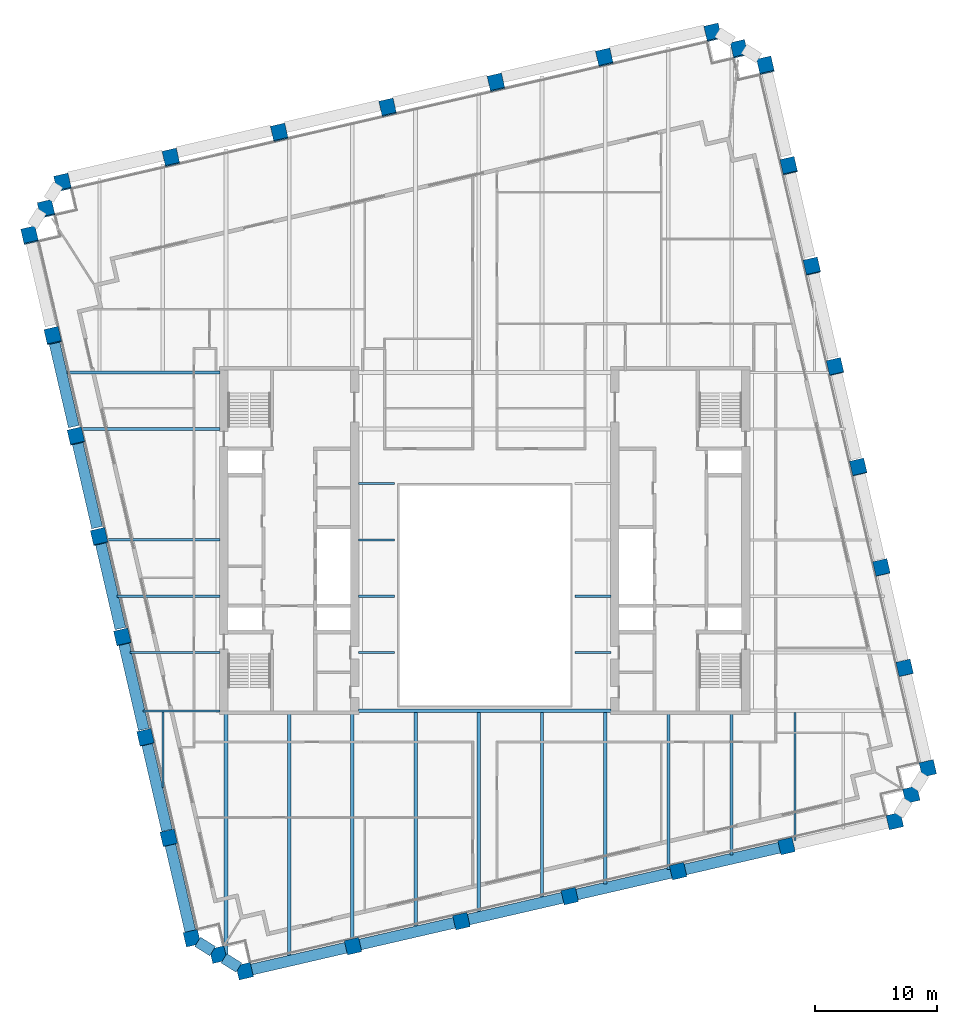
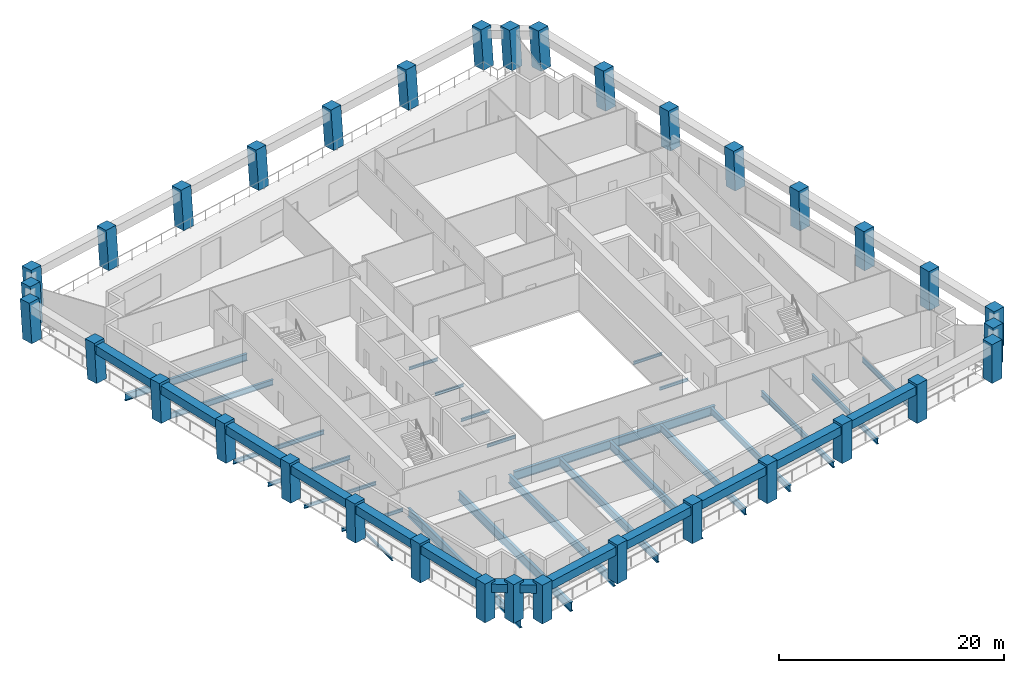
# One storey, part 1 of 11: 37 beams, 34 columns.
"""IFC4 building model written with IfcOpenShell, lengths in metres."""

from ifc_helpers import new_model, si_unit, direction, frame, origin, origin_2d, place, context, subcontext, project, spatial, rectangle, i_section, extrude, material, material_profile, profile_set, type_object, element, save


model = new_model("IFC4")

# Units and contexts
model_context = context("Model", 3, precision=1e-05, world=origin(), true_north=direction((0.0, 1.0)))
body_context = subcontext(model_context, "Body", "Model", "MODEL_VIEW")
ifc_project = project(units=[si_unit("LENGTHUNIT", "METRE"), si_unit("AREAUNIT", "SQUARE_METRE"), si_unit("VOLUMEUNIT", "CUBIC_METRE"), si_unit("PLANEANGLEUNIT", "RADIAN"), si_unit("MASSUNIT", "GRAM", prefix="KILO")], contexts=[model_context])

# Site, building, storey
site_placement = place(None, origin())
site = spatial("IfcSite", under=ifc_project, at=site_placement, CompositionType="ELEMENT")
building_placement = place(site_placement, origin())
building = spatial("IfcBuilding", under=site, at=building_placement, Name="Ogive Exchange Tower", CompositionType="ELEMENT")
storey_placement = place(building_placement, frame((0.0, 0.0, 217.800048828125)))
storey = spatial("IfcBuildingStorey", under=building, at=storey_placement, Name="L48", CompositionType="ELEMENT", Elevation=217.800048828125)

# Columns
ifc_material_1 = material(Name="Precast concrete C70/85 (limestone faced)", Category="masonry")
ifc_material_profile_1 = material_profile(ifc_material_1, rectangle(XDim=1.199951171875, YDim=1.199951171875, at=origin_2d()), Name="1200 x 1200")
ifc_profile_set_1 = profile_set([ifc_material_profile_1], Name="Precast concrete C70/85 (limestone faced)")
column_type = type_object("IfcColumnType", Name="Precast exoskeleton leg 1200 x 1200 C70/85", PredefinedType="COLUMN", material=ifc_profile_set_1)
for number, where, z_axis, x_axis, name in (
    (1, (-19.6494140625, -23.749267578125, 0.0), (0.0, 0.0, 1.0), (0.974370064785, 0.224951054344, 0.0), "Exoskeleton leg 1"),
    (2, (-10.782470703125, -21.7021484375, 0.0), (0.0, 0.0, 1.0), (0.974370064785, 0.224951054344, 0.0), "Exoskeleton leg 2"),
    (3, (-1.915771484375, -19.655029296875, 0.0), (0.0, 0.0, 1.0), (0.974370064785, 0.224951054344, 0.0), "Exoskeleton leg 3"),
    (4, (6.950927734375, -17.60791015625, 0.0), (0.0, 0.0, 1.0), (0.974370064785, 0.224951054344, 0.0), "Exoskeleton leg 4"),
    (5, (15.81787109375, -15.56103515625, 0.0), (0.0, 0.0, 1.0), (0.974370064785, 0.224951054344, 0.0), "Exoskeleton leg 5"),
    (6, (24.6845703125, -13.513916015625, 0.0), (0.0, 0.0, 1.0), (0.974370064785, 0.224951054344, 0.0), "Exoskeleton leg 6"),
    (7, (33.55126953125, -11.466796875, 0.0), (0.0, 0.0, 1.0), (0.974370064785, 0.224951054344, 0.0), "Exoskeleton leg 7"),
    (8, (36.249267578125, -7.1494140625, 0.0), (0.0, 0.0, 1.0), (0.974370064785, 0.224951054344, 0.0), "Exoskeleton leg 8"),
):
    element("IfcColumn", number, at=place(storey_placement, frame(where, z_axis=z_axis, x_axis=x_axis)), inside=storey, type_object=column_type, Name=name, PredefinedType="COLUMN", context=body_context, shape_type="SweptSolid", body=[
        extrude(rectangle(XDim=1.199951171875, YDim=1.199951171875, at=origin_2d()), origin(), (0.0, 0.0, 1.0), 4.199951171875),
    ])
column_1_placement = place(storey_placement, frame((34.353515625, 1.061279296875, 0.0), z_axis=(-0.00267375834, 0.011741286623, 0.999927493974), x_axis=(-0.975037935076, -0.222038341651, 0.0)))
element("IfcColumn", 9, at=column_1_placement, inside=storey, type_object=column_type, Name="Exoskeleton leg 9", PredefinedType="COLUMN", context=body_context, shape_type="SweptSolid", body=[
    extrude(rectangle(XDim=1.199951171875, YDim=1.199951171875, at=origin_2d()), origin(), (0.0, 0.0, 1.0), 4.2001953125),
])
column_2_placement = place(storey_placement, frame((32.4580078125, 9.27197265625, 0.0), z_axis=(-0.005404472139, 0.023419379268, 0.999711120452), x_axis=(-0.974391195695, -0.224859506699, 0.0)))
element("IfcColumn", 10, at=column_2_placement, inside=storey, type_object=column_type, Name="Exoskeleton leg 10", PredefinedType="COLUMN", context=body_context, shape_type="SweptSolid", body=[
    extrude(rectangle(XDim=1.199951171875, YDim=1.199951171875, at=origin_2d()), origin(), (0.0, 0.0, 1.0), 4.201171875),
])
column_3_placement = place(storey_placement, frame((30.5625, 17.482666015625, 0.0), z_axis=(-0.008132835078, 0.035087374195, 0.999351156084), x_axis=(-0.97417327444, -0.225801752354, 0.0)))
element("IfcColumn", 11, at=column_3_placement, inside=storey, type_object=column_type, Name="Exoskeleton leg 11", PredefinedType="COLUMN", context=body_context, shape_type="SweptSolid", body=[
    extrude(rectangle(XDim=1.199951171875, YDim=1.199951171875, at=origin_2d()), origin(), (0.0, 0.0, 1.0), 4.20263671875),
])
column_4_placement = place(storey_placement, frame((28.6669921875, 25.693359375, 0.0), z_axis=(-0.010799619665, 0.046740289408, 0.998848694028), x_axis=(-0.974329962248, -0.225124686929, 0.0)))
element("IfcColumn", 12, at=column_4_placement, inside=storey, type_object=column_type, Name="Exoskeleton leg 12", PredefinedType="COLUMN", context=body_context, shape_type="SweptSolid", body=[
    extrude(rectangle(XDim=1.199951171875, YDim=1.199951171875, at=origin_2d()), origin(), (0.0, 0.0, 1.0), 4.204833984375),
])
column_5_placement = place(storey_placement, frame((26.771240234375, 33.904052734375, 0.0), z_axis=(-0.013461799865, 0.058373149415, 0.998204064995), x_axis=(-0.974423835271, -0.224718021653, 0.0)))
element("IfcColumn", 13, at=column_5_placement, inside=storey, type_object=column_type, Name="Exoskeleton leg 13", PredefinedType="COLUMN", context=body_context, shape_type="SweptSolid", body=[
    extrude(rectangle(XDim=1.199951171875, YDim=1.199951171875, at=origin_2d()), origin(), (0.0, 0.0, 1.0), 4.20751953125),
])
column_6_placement = place(storey_placement, frame((24.875732421875, 42.11474609375, 0.0), z_axis=(-0.016176212764, 0.069980963462, 0.99741716192), x_axis=(-0.974309502923, -0.225213215672, 0.0)))
element("IfcColumn", 14, at=column_6_placement, inside=storey, type_object=column_type, Name="Exoskeleton leg 14", PredefinedType="COLUMN", context=body_context, shape_type="SweptSolid", body=[
    extrude(rectangle(XDim=1.199951171875, YDim=1.199951171875, at=origin_2d()), origin(), (0.0, 0.0, 1.0), 4.2109375),
])
for number, where, z_axis, x_axis, name in (
    (15, (22.97998046875, 50.325439453125, 0.0), (-0.018825755928, 0.08155896722, 0.996490705315), (-0.974379530941, -0.22491004798, 0.0), "Exoskeleton leg 15"),
    (16, (18.66259765625, 53.023193359375, 0.0), (-0.018825666958, 0.081616506903, 0.99648599592), (-0.974414501624, -0.224758490439, 0.0), "Exoskeleton leg 16"),
    (17, (9.7958984375, 50.976318359375, 0.0), (-0.018883571463, 0.081616417765, 0.996484907603), (-0.974262845894, -0.225414966474, 0.0), "Exoskeleton leg 17"),
    (18, (0.928955078125, 48.92919921875, 0.0), (-0.018825666958, 0.081616506903, 0.99648599592), (-0.974414501624, -0.224758490439, 0.0), "Exoskeleton leg 18"),
    (19, (-7.937744140625, 46.882080078125, 0.0), (-0.018825666958, 0.081616506903, 0.99648599592), (-0.974414501624, -0.224758490439, 0.0), "Exoskeleton leg 19"),
    (20, (-16.804443359375, 44.835205078125, 0.0), (-0.018825755928, 0.08155896722, 0.996490705315), (-0.974379530941, -0.22491004798, 0.0), "Exoskeleton leg 20"),
    (21, (-25.67138671875, 42.7880859375, 0.0), (-0.018825755928, 0.08155896722, 0.996490705315), (-0.974379530941, -0.22491004798, 0.0), "Exoskeleton leg 21"),
    (22, (-34.5380859375, 40.740966796875, 0.0), (-0.018825666958, 0.081616506903, 0.99648599592), (-0.974414501624, -0.224758490439, 0.0), "Exoskeleton leg 22"),
    (23, (-37.236083984375, 36.42333984375, 0.0), (-0.018825666958, 0.081616506903, 0.99648599592), (-0.974414501624, -0.224758490439, 0.0), "Exoskeleton leg 23"),
):
    element("IfcColumn", number, at=place(storey_placement, frame(where, z_axis=z_axis, x_axis=x_axis)), inside=storey, type_object=column_type, Name=name, PredefinedType="COLUMN", context=body_context, shape_type="SweptSolid", body=[
        extrude(rectangle(XDim=1.199951171875, YDim=1.199951171875, at=origin_2d()), origin(), (0.0, 0.0, 1.0), 4.21484375),
    ])
column_7_placement = place(storey_placement, frame((-35.34033203125, 28.212890625, 0.0), z_axis=(-0.016176212764, 0.069980963462, 0.99741716192), x_axis=(-0.974309502923, -0.225213215672, 0.0)))
element("IfcColumn", 24, at=column_7_placement, inside=storey, type_object=column_type, Name="Exoskeleton leg 24", PredefinedType="COLUMN", context=body_context, shape_type="SweptSolid", body=[
    extrude(rectangle(XDim=1.199951171875, YDim=1.199951171875, at=origin_2d()), origin(), (0.0, 0.0, 1.0), 4.2109375),
])
column_8_placement = place(storey_placement, frame((-33.44482421875, 20.002197265625, 0.0), z_axis=(-0.013461799865, 0.058373149415, 0.998204064995), x_axis=(-0.974423835271, -0.224718021653, 0.0)))
element("IfcColumn", 25, at=column_8_placement, inside=storey, type_object=column_type, Name="Exoskeleton leg 25", PredefinedType="COLUMN", context=body_context, shape_type="SweptSolid", body=[
    extrude(rectangle(XDim=1.199951171875, YDim=1.199951171875, at=origin_2d()), origin(), (0.0, 0.0, 1.0), 4.20751953125),
])
column_9_placement = place(storey_placement, frame((-31.54931640625, 11.79150390625, 0.0), z_axis=(-0.010741593044, 0.046682382742, 0.99885202774), x_axis=(-0.974534000035, -0.224239788565, 0.0)))
element("IfcColumn", 26, at=column_9_placement, inside=storey, type_object=column_type, Name="Exoskeleton leg 26", PredefinedType="COLUMN", context=body_context, shape_type="SweptSolid", body=[
    extrude(rectangle(XDim=1.199951171875, YDim=1.199951171875, at=origin_2d()), origin(), (0.0, 0.0, 1.0), 4.204833984375),
])
column_10_placement = place(storey_placement, frame((-29.653564453125, 3.580810546875, 0.0), z_axis=(-0.008074763646, 0.035029370347, 0.999353661826), x_axis=(-0.974445638882, -0.224623455729, 0.0)))
element("IfcColumn", 27, at=column_10_placement, inside=storey, type_object=column_type, Name="Exoskeleton leg 27", PredefinedType="COLUMN", context=body_context, shape_type="SweptSolid", body=[
    extrude(rectangle(XDim=1.199951171875, YDim=1.199951171875, at=origin_2d()), origin(), (0.0, 0.0, 1.0), 4.20263671875),
])
column_11_placement = place(storey_placement, frame((-27.758056640625, -4.6298828125, 0.0), z_axis=(-0.005404479485, 0.023361298418, 0.999712479335), x_axis=(-0.974268511785, -0.225390476607, 0.0)))
element("IfcColumn", 28, at=column_11_placement, inside=storey, type_object=column_type, Name="Exoskeleton leg 28", PredefinedType="COLUMN", context=body_context, shape_type="SweptSolid", body=[
    extrude(rectangle(XDim=1.199951171875, YDim=1.199951171875, at=origin_2d()), origin(), (0.0, 0.0, 1.0), 4.201171875),
])
column_12_placement = place(storey_placement, frame((-25.862548828125, -12.840576171875, 0.0), z_axis=(-0.00267376016, 0.011683169396, 0.9999281747), x_axis=(-0.974798272484, -0.223088161862, 0.0)))
element("IfcColumn", 29, at=column_12_placement, inside=storey, type_object=column_type, Name="Exoskeleton leg 29", PredefinedType="COLUMN", context=body_context, shape_type="SweptSolid", body=[
    extrude(rectangle(XDim=1.199951171875, YDim=1.199951171875, at=origin_2d()), origin(), (0.0, 0.0, 1.0), 4.2001953125),
])
for number, where, z_axis, x_axis, name in (
    (30, (-23.966796875, -21.05126953125, 0.0), (0.0, 0.0, 1.0), (0.974370064785, 0.224951054344, 0.0), "Exoskeleton leg 30"),
    (31, (34.900146484375, -9.30810546875, 0.0), (0.0, 0.0, 1.0), (0.974370064785, 0.224951054344, 0.0), "Exoskeleton leg 31"),
):
    element("IfcColumn", number, at=place(storey_placement, frame(where, z_axis=z_axis, x_axis=x_axis)), inside=storey, type_object=column_type, Name=name, PredefinedType="COLUMN", context=body_context, shape_type="SweptSolid", body=[
        extrude(rectangle(XDim=1.199951171875, YDim=1.199951171875, at=origin_2d()), origin(), (0.0, 0.0, 1.0), 4.199951171875),
    ])
for number, where, z_axis, x_axis, name in (
    (32, (20.8212890625, 51.67431640625, 0.0), (-0.018825666958, 0.081616506903, 0.99648599592), (-0.974414501624, -0.224758490439, 0.0), "Exoskeleton leg 32"),
    (33, (-35.886962890625, 38.582275390625, 0.0), (-0.018825755928, 0.08155896722, 0.996490705315), (-0.974379530941, -0.22491004798, 0.0), "Exoskeleton leg 33"),
):
    element("IfcColumn", number, at=place(storey_placement, frame(where, z_axis=z_axis, x_axis=x_axis)), inside=storey, type_object=column_type, Name=name, PredefinedType="COLUMN", context=body_context, shape_type="SweptSolid", body=[
        extrude(rectangle(XDim=1.199951171875, YDim=1.199951171875, at=origin_2d()), origin(), (0.0, 0.0, 1.0), 4.21484375),
    ])
column_13_placement = place(storey_placement, frame((-21.80810546875, -22.400146484375, 0.0), z_axis=(0.0, 0.0, 1.0), x_axis=(0.974370064785, 0.224951054344, 0.0)))
element("IfcColumn", 34, at=column_13_placement, inside=storey, type_object=column_type, Name="Exoskeleton leg 34", PredefinedType="COLUMN", context=body_context, shape_type="SweptSolid", body=[
    extrude(rectangle(XDim=1.199951171875, YDim=1.199951171875, at=origin_2d()), origin(), (0.0, 0.0, 1.0), 4.199951171875),
])

# Beams
ifc_material_2 = material(Name="Steel ASTM A992 Gr50", Category="steel")
ifc_material_profile_2 = material_profile(ifc_material_2, i_section(OverallWidth=0.300048828125, OverallDepth=0.969970703125, WebThickness=0.01611328125, FlangeThickness=0.02099609375, at=origin_2d()), Name="W1000x222")
ifc_profile_set_2 = profile_set([ifc_material_profile_2], Name="Steel ASTM A992 Gr50")
beam_type_1 = type_object("IfcBeamType", Name="Floor beam W1000x222", PredefinedType="JOIST", material=ifc_profile_set_2)
beam_1_placement = place(storey_placement, frame((-21.1806640625, -22.581298828125, -0.68505859375), z_axis=(0.0, 1.0, 0.0), x_axis=(-1.0, 0.0, 0.0)))
element("IfcBeam", 35, at=beam_1_placement, inside=storey, type_object=beam_type_1, Name="Floor beam", PredefinedType="JOIST", context=body_context, shape_type="SweptSolid", body=[
    extrude(i_section(OverallWidth=0.300048828125, OverallDepth=0.969970703125, WebThickness=0.01611328125, FlangeThickness=0.02099609375, at=origin_2d()), origin(), (0.0, 0.0, 1.0), 19.981201171875),
])
beam_2_placement = place(storey_placement, frame((-16.0087890625, -22.596923828125, -0.68505859375), z_axis=(0.0, 1.0, 0.0), x_axis=(-1.0, 0.0, 0.0)))
element("IfcBeam", 36, at=beam_2_placement, inside=storey, type_object=beam_type_1, Name="Floor beam", PredefinedType="JOIST", context=body_context, shape_type="SweptSolid", body=[
    extrude(i_section(OverallWidth=0.300048828125, OverallDepth=0.969970703125, WebThickness=0.01611328125, FlangeThickness=0.02099609375, at=origin_2d()), origin(), (0.0, 0.0, 1.0), 19.996826171875),
])
ifc_material_profile_3 = material_profile(ifc_material_2, i_section(OverallWidth=0.1650390625, OverallDepth=0.31005859375, WebThickness=0.005859375, FlangeThickness=0.009765625, at=origin_2d()), Name="W310x38.7")
ifc_profile_set_3 = profile_set([ifc_material_profile_3], Name="Steel ASTM A992 Gr50")
beam_type_2 = type_object("IfcBeamType", Name="Floor beam W310x38.7", PredefinedType="JOIST", material=ifc_profile_set_3)
for number, where, z_axis, x_axis, name in (
    (37, (-10.320068359375, 2.3212890625, -0.35498046875), (1.0, 0.0, 0.0), (0.0, 1.0, 0.0), "Floor beam"),
    (38, (7.3701171875, 2.3212890625, -0.35498046875), (1.0, 0.0, 0.0), (0.0, 1.0, 0.0), "Floor beam"),
    (39, (-10.320068359375, 6.9326171875, -0.35498046875), (1.0, 0.0, 0.0), (0.0, 1.0, 0.0), "Floor beam"),
    (40, (7.3701171875, 6.9326171875, -0.35498046875), (1.0, 0.0, 0.0), (0.0, 1.0, 0.0), "Floor beam"),
    (41, (-10.320068359375, 11.543701171875, -0.35498046875), (1.0, 0.0, 0.0), (0.0, 1.0, 0.0), "Floor beam"),
):
    element("IfcBeam", number, at=place(storey_placement, frame(where, z_axis=z_axis, x_axis=x_axis)), inside=storey, type_object=beam_type_2, Name=name, PredefinedType="JOIST", context=body_context, shape_type="SweptSolid", body=[
        extrude(i_section(OverallWidth=0.1650390625, OverallDepth=0.31005859375, WebThickness=0.005859375, FlangeThickness=0.009765625, at=origin_2d()), origin(), (0.0, 0.0, 1.0), 2.949951171875),
    ])
beam_3_placement = place(storey_placement, frame((-26.3525390625, -8.71728515625, -0.35498046875), z_axis=(0.0, 1.0, 0.0), x_axis=(-1.0, 0.0, 0.0)))
element("IfcBeam", 42, at=beam_3_placement, inside=storey, type_object=beam_type_2, Name="Floor beam", PredefinedType="JOIST", context=body_context, shape_type="SweptSolid", body=[
    extrude(i_section(OverallWidth=0.1650390625, OverallDepth=0.31005859375, WebThickness=0.005859375, FlangeThickness=0.009765625, at=origin_2d()), origin(), (0.0, 0.0, 1.0), 6.186767578125),
])
ifc_material_profile_4 = material_profile(ifc_material_2, i_section(OverallWidth=0.1708984375, OverallDepth=0.35595703125, WebThickness=0.00732421875, FlangeThickness=0.01171875, at=origin_2d()), Name="W360x51")
ifc_profile_set_4 = profile_set([ifc_material_profile_4], Name="Steel ASTM A992 Gr50")
beam_type_3 = type_object("IfcBeamType", Name="Floor beam W360x51", PredefinedType="JOIST", material=ifc_profile_set_4)
beam_4_placement = place(storey_placement, frame((-29.051025390625, 2.3212890625, -0.3779296875), z_axis=(1.0, 0.0, 0.0), x_axis=(0.0, 1.0, 0.0)))
element("IfcBeam", 43, at=beam_4_placement, inside=storey, type_object=beam_type_3, Name="Floor beam", PredefinedType="JOIST", context=body_context, shape_type="SweptSolid", body=[
    extrude(i_section(OverallWidth=0.1708984375, OverallDepth=0.35595703125, WebThickness=0.00732421875, FlangeThickness=0.01171875, at=origin_2d()), origin(), (0.0, 0.0, 1.0), 7.37109375),
])
ifc_material_profile_5 = material_profile(ifc_material_2, i_section(OverallWidth=0.177978515625, OverallDepth=0.406005859375, WebThickness=0.0078125, FlangeThickness=0.0126953125, at=origin_2d()), Name="W410x60")
ifc_profile_set_5 = profile_set([ifc_material_profile_5], Name="Steel ASTM A992 Gr50")
beam_type_4 = type_object("IfcBeamType", Name="Floor beam W410x60", PredefinedType="JOIST", material=ifc_profile_set_5)
beam_5_placement = place(storey_placement, frame((-30.115478515625, 6.9326171875, -0.403076171875), z_axis=(1.0, 0.0, 0.0), x_axis=(0.0, 1.0, 0.0)))
element("IfcBeam", 44, at=beam_5_placement, inside=storey, type_object=beam_type_4, Name="Floor beam", PredefinedType="JOIST", context=body_context, shape_type="SweptSolid", body=[
    extrude(i_section(OverallWidth=0.177978515625, OverallDepth=0.406005859375, WebThickness=0.0078125, FlangeThickness=0.0126953125, at=origin_2d()), origin(), (0.0, 0.0, 1.0), 8.435546875),
])
ifc_material_profile_6 = material_profile(ifc_material_2, i_section(OverallWidth=0.19091796875, OverallDepth=0.45703125, WebThickness=0.009033203125, FlangeThickness=0.014404296875, at=origin_2d()), Name="W460x74")
ifc_profile_set_6 = profile_set([ifc_material_profile_6], Name="Steel ASTM A992 Gr50")
beam_type_5 = type_object("IfcBeamType", Name="Floor beam W460x74", PredefinedType="JOIST", material=ifc_profile_set_6)
beam_6_placement = place(storey_placement, frame((-31.0302734375, 11.543701171875, -0.428466796875), z_axis=(1.0, 0.0, 0.0), x_axis=(0.0, 1.0, 0.0)))
element("IfcBeam", 45, at=beam_6_placement, inside=storey, type_object=beam_type_5, Name="Floor beam", PredefinedType="JOIST", context=body_context, shape_type="SweptSolid", body=[
    extrude(i_section(OverallWidth=0.19091796875, OverallDepth=0.45703125, WebThickness=0.009033203125, FlangeThickness=0.014404296875, at=origin_2d()), origin(), (0.0, 0.0, 1.0), 9.350341796875),
])
ifc_material_profile_7 = material_profile(ifc_material_2, i_section(OverallWidth=0.1669921875, OverallDepth=0.535888671875, WebThickness=0.01025390625, FlangeThickness=0.0166015625, at=origin_2d()), Name="W530x85")
ifc_profile_set_7 = profile_set([ifc_material_profile_7], Name="Steel ASTM A992 Gr50")
beam_type_6 = type_object("IfcBeamType", Name="Floor beam W530x85", PredefinedType="JOIST", material=ifc_profile_set_7)
beam_7_placement = place(storey_placement, frame((25.36572265625, -13.044921875, -0.468017578125), z_axis=(0.0, 1.0, 0.0), x_axis=(-1.0, 0.0, 0.0)))
element("IfcBeam", 46, at=beam_7_placement, inside=storey, type_object=beam_type_6, Name="Floor beam", PredefinedType="JOIST", context=body_context, shape_type="SweptSolid", body=[
    extrude(i_section(OverallWidth=0.1669921875, OverallDepth=0.535888671875, WebThickness=0.01025390625, FlangeThickness=0.0166015625, at=origin_2d()), origin(), (0.0, 0.0, 1.0), 10.46630859375),
])
ifc_material_profile_8 = material_profile(ifc_material_2, i_section(OverallWidth=0.22802734375, OverallDepth=0.60205078125, WebThickness=0.010498046875, FlangeThickness=0.014892578125, at=origin_2d()), Name="W610x101")
ifc_profile_set_8 = profile_set([ifc_material_profile_8], Name="Steel ASTM A992 Gr50")
beam_type_7 = type_object("IfcBeamType", Name="Floor beam W610x101", PredefinedType="JOIST", material=ifc_profile_set_8)
beam_8_placement = place(storey_placement, frame((-33.126220703125, 20.62255859375, -0.5009765625), z_axis=(1.0, 0.0, 0.0), x_axis=(0.0, 1.0, 0.0)))
element("IfcBeam", 47, at=beam_8_placement, inside=storey, type_object=beam_type_7, Name="Floor beam", PredefinedType="JOIST", context=body_context, shape_type="SweptSolid", body=[
    extrude(i_section(OverallWidth=0.22802734375, OverallDepth=0.60205078125, WebThickness=0.010498046875, FlangeThickness=0.014892578125, at=origin_2d()), origin(), (0.0, 0.0, 1.0), 11.4462890625),
])
beam_9_placement = place(storey_placement, frame((20.194091796875, -14.23876953125, -0.5009765625), z_axis=(0.0, 1.0, 0.0), x_axis=(-1.0, 0.0, 0.0)))
element("IfcBeam", 48, at=beam_9_placement, inside=storey, type_object=beam_type_7, Name="Floor beam", PredefinedType="JOIST", context=body_context, shape_type="SweptSolid", body=[
    extrude(i_section(OverallWidth=0.22802734375, OverallDepth=0.60205078125, WebThickness=0.010498046875, FlangeThickness=0.014892578125, at=origin_2d()), origin(), (0.0, 0.0, 1.0), 11.638671875),
])
ifc_material_profile_9 = material_profile(ifc_material_2, i_section(OverallWidth=0.22900390625, OverallDepth=0.612060546875, WebThickness=0.011962890625, FlangeThickness=0.01953125, at=origin_2d()), Name="W610x125")
ifc_profile_set_9 = profile_set([ifc_material_profile_9], Name="Steel ASTM A992 Gr50")
beam_type_8 = type_object("IfcBeamType", Name="Floor beam W610x125", PredefinedType="JOIST", material=ifc_profile_set_9)
beam_10_placement = place(storey_placement, frame((15.022216796875, -15.432861328125, -0.506103515625), z_axis=(0.0, 1.0, 0.0), x_axis=(-1.0, 0.0, 0.0)))
element("IfcBeam", 49, at=beam_10_placement, inside=storey, type_object=beam_type_8, Name="Floor beam", PredefinedType="JOIST", context=body_context, shape_type="SweptSolid", body=[
    extrude(i_section(OverallWidth=0.22900390625, OverallDepth=0.612060546875, WebThickness=0.011962890625, FlangeThickness=0.01953125, at=origin_2d()), origin(), (0.0, 0.0, 1.0), 12.832763671875),
])
ifc_material_profile_10 = material_profile(ifc_material_2, i_section(OverallWidth=0.25390625, OverallDepth=0.677978515625, WebThickness=0.01171875, FlangeThickness=0.016357421875, at=origin_2d()), Name="W690x125")
ifc_profile_set_10 = profile_set([ifc_material_profile_10], Name="Steel ASTM A992 Gr50")
beam_type_9 = type_object("IfcBeamType", Name="Floor beam W690x125", PredefinedType="JOIST", material=ifc_profile_set_10)
beam_11_placement = place(storey_placement, frame((9.850341796875, -16.626708984375, -0.5390625), z_axis=(0.0, 1.0, 0.0), x_axis=(-1.0, 0.0, 0.0)))
element("IfcBeam", 50, at=beam_11_placement, inside=storey, type_object=beam_type_9, Name="Floor beam", PredefinedType="JOIST", context=body_context, shape_type="SweptSolid", body=[
    extrude(i_section(OverallWidth=0.25390625, OverallDepth=0.677978515625, WebThickness=0.01171875, FlangeThickness=0.016357421875, at=origin_2d()), origin(), (0.0, 0.0, 1.0), 14.03173828125),
])
ifc_material_profile_11 = material_profile(ifc_material_2, i_section(OverallWidth=0.26708984375, OverallDepth=0.75390625, WebThickness=0.01318359375, FlangeThickness=0.01708984375, at=origin_2d()), Name="W760x147")
ifc_profile_set_11 = profile_set([ifc_material_profile_11], Name="Steel ASTM A992 Gr50")
beam_type_10 = type_object("IfcBeamType", Name="Floor beam W760x147", PredefinedType="JOIST", material=ifc_profile_set_11)
beam_12_placement = place(storey_placement, frame((4.678466796875, -17.6708984375, -0.5771484375), z_axis=(0.0, 1.0, 0.0), x_axis=(-1.0, 0.0, 0.0)))
element("IfcBeam", 51, at=beam_12_placement, inside=storey, type_object=beam_type_10, Name="Floor beam", PredefinedType="JOIST", context=body_context, shape_type="SweptSolid", body=[
    extrude(i_section(OverallWidth=0.26708984375, OverallDepth=0.75390625, WebThickness=0.01318359375, FlangeThickness=0.01708984375, at=origin_2d()), origin(), (0.0, 0.0, 1.0), 15.075927734375),
])
ifc_material_profile_12 = material_profile(ifc_material_2, i_section(OverallWidth=0.2919921875, OverallDepth=0.8359375, WebThickness=0.013916015625, FlangeThickness=0.018798828125, at=origin_2d()), Name="W840x176")
ifc_profile_set_12 = profile_set([ifc_material_profile_12], Name="Steel ASTM A992 Gr50")
beam_type_11 = type_object("IfcBeamType", Name="Floor beam W840x176", PredefinedType="JOIST", material=ifc_profile_set_12)
beam_13_placement = place(storey_placement, frame((-5.665283203125, -20.058837890625, -0.6181640625), z_axis=(0.0, 1.0, 0.0), x_axis=(-1.0, 0.0, 0.0)))
element("IfcBeam", 52, at=beam_13_placement, inside=storey, type_object=beam_type_11, Name="Floor beam", PredefinedType="JOIST", context=body_context, shape_type="SweptSolid", body=[
    extrude(i_section(OverallWidth=0.2919921875, OverallDepth=0.8359375, WebThickness=0.013916015625, FlangeThickness=0.018798828125, at=origin_2d()), origin(), (0.0, 0.0, 1.0), 17.4638671875),
])
beam_14_placement = place(storey_placement, frame((-0.493408203125, -18.864990234375, -0.6181640625), z_axis=(0.0, 1.0, 0.0), x_axis=(-1.0, 0.0, 0.0)))
element("IfcBeam", 53, at=beam_14_placement, inside=storey, type_object=beam_type_11, Name="Floor beam", PredefinedType="JOIST", context=body_context, shape_type="SweptSolid", body=[
    extrude(i_section(OverallWidth=0.2919921875, OverallDepth=0.8359375, WebThickness=0.013916015625, FlangeThickness=0.018798828125, at=origin_2d()), origin(), (0.0, 0.0, 1.0), 16.27001953125),
])
ifc_material_profile_13 = material_profile(ifc_material_2, i_section(OverallWidth=0.304931640625, OverallDepth=0.904052734375, WebThickness=0.01513671875, FlangeThickness=0.02001953125, at=origin_2d()), Name="W920x201")
ifc_profile_set_13 = profile_set([ifc_material_profile_13], Name="Steel ASTM A992 Gr50")
beam_type_12 = type_object("IfcBeamType", Name="Floor beam W920x201", PredefinedType="JOIST", material=ifc_profile_set_13)
beam_15_placement = place(storey_placement, frame((-10.837158203125, -21.2529296875, -0.652099609375), z_axis=(0.0, 1.0, 0.0), x_axis=(-1.0, 0.0, 0.0)))
element("IfcBeam", 54, at=beam_15_placement, inside=storey, type_object=beam_type_12, Name="Floor beam", PredefinedType="JOIST", context=body_context, shape_type="SweptSolid", body=[
    extrude(i_section(OverallWidth=0.304931640625, OverallDepth=0.904052734375, WebThickness=0.01513671875, FlangeThickness=0.02001953125, at=origin_2d()), origin(), (0.0, 0.0, 1.0), 18.65283203125),
])
ifc_material_profile_14 = material_profile(ifc_material_2, i_section(OverallWidth=0.300048828125, OverallDepth=0.97998046875, WebThickness=0.0166015625, FlangeThickness=0.026123046875, at=origin_2d()), Name="W1000x249")
ifc_profile_set_14 = profile_set([ifc_material_profile_14], Name="Steel ASTM A992 Gr50")
beam_type_13 = type_object("IfcBeamType", Name="Girder W1000x249", PredefinedType="BEAM", material=ifc_profile_set_14)
beam_16_placement = place(storey_placement, frame((-10.320068359375, -2.445068359375, -0.68994140625), z_axis=(1.0, 0.0, 0.0), x_axis=(0.0, 1.0, 0.0)))
element("IfcBeam", 55, at=beam_16_placement, inside=storey, type_object=beam_type_13, Name="Header girder", PredefinedType="BEAM", context=body_context, shape_type="SweptSolid", body=[
    extrude(i_section(OverallWidth=0.300048828125, OverallDepth=0.97998046875, WebThickness=0.0166015625, FlangeThickness=0.026123046875, at=origin_2d()), origin(), (0.0, 0.0, 1.0), 20.64013671875),
])
ifc_material_profile_15 = material_profile(ifc_material_2, i_section(OverallWidth=0.1650390625, OverallDepth=0.31005859375, WebThickness=0.005859375, FlangeThickness=0.009765625, at=origin_2d()), Name="W310x38.7")
ifc_profile_set_15 = profile_set([ifc_material_profile_15], Name="Steel ASTM A992 Gr50")
beam_type_14 = type_object("IfcBeamType", Name="Girder W310x38.7", PredefinedType="BEAM", material=ifc_profile_set_15)
beam_17_placement = place(storey_placement, frame((-10.320068359375, 16.155029296875, -0.35498046875), z_axis=(1.0, 0.0, 0.0), x_axis=(0.0, 1.0, 0.0)))
element("IfcBeam", 56, at=beam_17_placement, inside=storey, type_object=beam_type_14, Name="Trimmer girder", PredefinedType="BEAM", context=body_context, shape_type="SweptSolid", body=[
    extrude(i_section(OverallWidth=0.1650390625, OverallDepth=0.31005859375, WebThickness=0.005859375, FlangeThickness=0.009765625, at=origin_2d()), origin(), (0.0, 0.0, 1.0), 2.949951171875),
])
ifc_material_profile_16 = material_profile(ifc_material_2, i_section(OverallWidth=0.1708984375, OverallDepth=0.35595703125, WebThickness=0.00732421875, FlangeThickness=0.01171875, at=origin_2d()), Name="W360x51")
ifc_profile_set_16 = profile_set([ifc_material_profile_16], Name="Steel ASTM A992 Gr50")
beam_type_15 = type_object("IfcBeamType", Name="Girder W360x51", PredefinedType="BEAM", material=ifc_profile_set_16)
beam_18_placement = place(storey_placement, frame((-27.95068359375, -2.445068359375, -0.3779296875), z_axis=(1.0, 0.0, 0.0), x_axis=(0.0, 1.0, 0.0)))
element("IfcBeam", 57, at=beam_18_placement, inside=storey, type_object=beam_type_15, Name="Header girder", PredefinedType="BEAM", context=body_context, shape_type="SweptSolid", body=[
    extrude(i_section(OverallWidth=0.1708984375, OverallDepth=0.35595703125, WebThickness=0.00732421875, FlangeThickness=0.01171875, at=origin_2d()), origin(), (0.0, 0.0, 1.0), 6.270751953125),
])
ifc_material_profile_17 = material_profile(ifc_material_2, i_section(OverallWidth=0.26708984375, OverallDepth=0.75390625, WebThickness=0.01318359375, FlangeThickness=0.01708984375, at=origin_2d()), Name="W760x147")
ifc_profile_set_17 = profile_set([ifc_material_profile_17], Name="Steel ASTM A992 Gr50")
beam_type_16 = type_object("IfcBeamType", Name="Girder W760x147", PredefinedType="BEAM", material=ifc_profile_set_17)
beam_19_placement = place(storey_placement, frame((-34.193359375, 25.2451171875, -0.5771484375), z_axis=(1.0, 0.0, 0.0), x_axis=(0.0, 1.0, 0.0)))
element("IfcBeam", 58, at=beam_19_placement, inside=storey, type_object=beam_type_16, Name="Header girder", PredefinedType="BEAM", context=body_context, shape_type="SweptSolid", body=[
    extrude(i_section(OverallWidth=0.26708984375, OverallDepth=0.75390625, WebThickness=0.01318359375, FlangeThickness=0.01708984375, at=origin_2d()), origin(), (0.0, 0.0, 1.0), 12.513427734375),
])
ifc_material_profile_18 = material_profile(ifc_material_1, rectangle(XDim=0.89990234375, YDim=0.89990234375, at=origin_2d()), Name="900 x 900")
ifc_profile_set_18 = profile_set([ifc_material_profile_18], Name="Precast concrete C70/85 (limestone faced)")
beam_type_17 = type_object("IfcBeamType", Name="Precast spandrel 900 x 900 C70/85", PredefinedType="SPANDREL", material=ifc_profile_set_18)
beam_20_placement = place(storey_placement, frame((-19.084228515625, -23.61865234375, 3.5), z_axis=(0.974369944206, 0.224951576629, 0.0), x_axis=(-0.224951576629, 0.974369944206, 0.0)))
element("IfcBeam", 59, at=beam_20_placement, inside=storey, type_object=beam_type_17, Name="Spandrel 1", PredefinedType="SPANDREL", context=body_context, shape_type="SweptSolid", body=[
    extrude(rectangle(XDim=0.89990234375, YDim=0.89990234375, at=origin_2d()), origin(), (0.0, 0.0, 1.0), 7.940185546875),
])
beam_21_placement = place(storey_placement, frame((-10.21728515625, -21.57177734375, 3.5), z_axis=(0.974368388194, 0.224958316335, 0.0), x_axis=(-0.224958316335, 0.974368388194, 0.0)))
element("IfcBeam", 60, at=beam_21_placement, inside=storey, type_object=beam_type_17, Name="Spandrel 2", PredefinedType="SPANDREL", context=body_context, shape_type="SweptSolid", body=[
    extrude(rectangle(XDim=0.89990234375, YDim=0.89990234375, at=origin_2d()), origin(), (0.0, 0.0, 1.0), 7.93994140625),
])
for number, where, z_axis, x_axis, name in (
    (61, (-1.3505859375, -19.524658203125, 3.5), (0.974369944206, 0.224951576629, 0.0), (-0.224951576629, 0.974369944206, 0.0), "Spandrel 3"),
    (62, (7.51611328125, -17.4775390625, 3.5), (0.974369944206, 0.224951576629, 0.0), (-0.224951576629, 0.974369944206, 0.0), "Spandrel 4"),
    (63, (16.3828125, -15.430419921875, 3.5), (0.974369944206, 0.224951576629, 0.0), (-0.224951576629, 0.974369944206, 0.0), "Spandrel 5"),
):
    element("IfcBeam", number, at=place(storey_placement, frame(where, z_axis=z_axis, x_axis=x_axis)), inside=storey, type_object=beam_type_17, Name=name, PredefinedType="SPANDREL", context=body_context, shape_type="SweptSolid", body=[
        extrude(rectangle(XDim=0.89990234375, YDim=0.89990234375, at=origin_2d()), origin(), (0.0, 0.0, 1.0), 7.940185546875),
    ])
beam_22_placement = place(storey_placement, frame((-35.278076171875, 27.9423828125, 3.5), z_axis=(0.224956980759, -0.974368696546, 0.0), x_axis=(0.974368696546, 0.224956980759, 0.0)))
element("IfcBeam", 64, at=beam_22_placement, inside=storey, type_object=beam_type_17, Name="Spandrel 27", PredefinedType="SPANDREL", context=body_context, shape_type="SweptSolid", body=[
    extrude(rectangle(XDim=0.89990234375, YDim=0.89990234375, at=origin_2d()), origin(), (0.0, 0.0, 1.0), 7.31689453125),
])
for number, where, z_axis, x_axis, name in (
    (65, (-33.37109375, 19.6826171875, 3.5), (0.224949667351, -0.974370384997, 0.0), (0.974370384997, 0.224949667351, 0.0), "Spandrel 28"),
    (66, (-31.464111328125, 11.4228515625, 3.5), (0.224949667351, -0.974370384997, 0.0), (0.974370384997, 0.224949667351, 0.0), "Spandrel 29"),
    (67, (-29.55712890625, 3.1630859375, 3.5), (0.224949667351, -0.974370384997, 0.0), (0.974370384997, 0.224949667351, 0.0), "Spandrel 30"),
    (68, (-27.650390625, -5.0966796875, 3.5), (0.224949667351, -0.974370384997, 0.0), (0.974370384997, 0.224949667351, 0.0), "Spandrel 31"),
):
    element("IfcBeam", number, at=place(storey_placement, frame(where, z_axis=z_axis, x_axis=x_axis)), inside=storey, type_object=beam_type_17, Name=name, PredefinedType="SPANDREL", context=body_context, shape_type="SweptSolid", body=[
        extrude(rectangle(XDim=0.89990234375, YDim=0.89990234375, at=origin_2d()), origin(), (0.0, 0.0, 1.0), 7.317138671875),
    ])
beam_23_placement = place(storey_placement, frame((-25.743408203125, -13.356689453125, 3.5), z_axis=(0.224956980759, -0.974368696546, 0.0), x_axis=(0.974368696546, 0.224956980759, 0.0)))
element("IfcBeam", 69, at=beam_23_placement, inside=storey, type_object=beam_type_17, Name="Spandrel 32", PredefinedType="SPANDREL", context=body_context, shape_type="SweptSolid", body=[
    extrude(rectangle(XDim=0.89990234375, YDim=0.89990234375, at=origin_2d()), origin(), (0.0, 0.0, 1.0), 7.31689453125),
])
for number, where, z_axis, x_axis, name in (
    (70, (-23.501708984375, -21.342041015625, 3.5), (0.848074041941, -0.529877740036, 0.0), (0.529877740036, 0.848074041941, 0.0), "Spandrel 33"),
    (71, (-21.343017578125, -22.69091796875, 3.5), (0.848074041941, -0.529877740036, 0.0), (0.529877740036, 0.848074041941, 0.0), "Spandrel 34"),
):
    element("IfcBeam", number, at=place(storey_placement, frame(where, z_axis=z_axis, x_axis=x_axis)), inside=storey, type_object=beam_type_17, Name=name, PredefinedType="SPANDREL", context=body_context, shape_type="SweptSolid", body=[
        extrude(rectangle(XDim=0.89990234375, YDim=0.89990234375, at=origin_2d()), origin(), (0.0, 0.0, 1.0), 1.448486328125),
    ])

save(model, "model.ifc")
